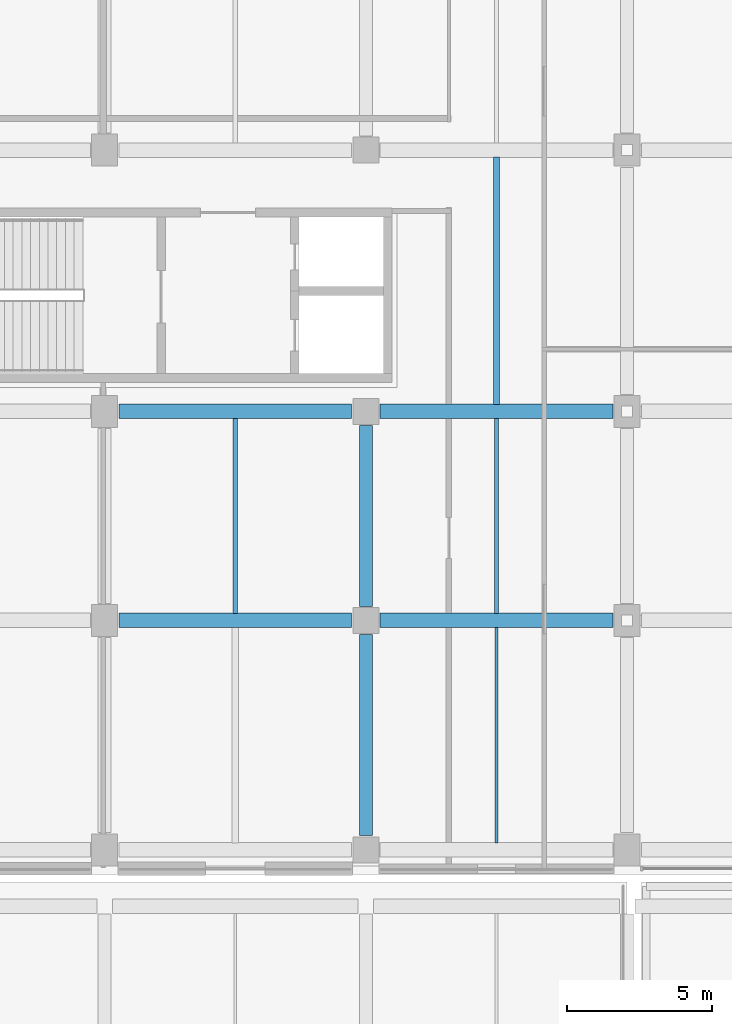
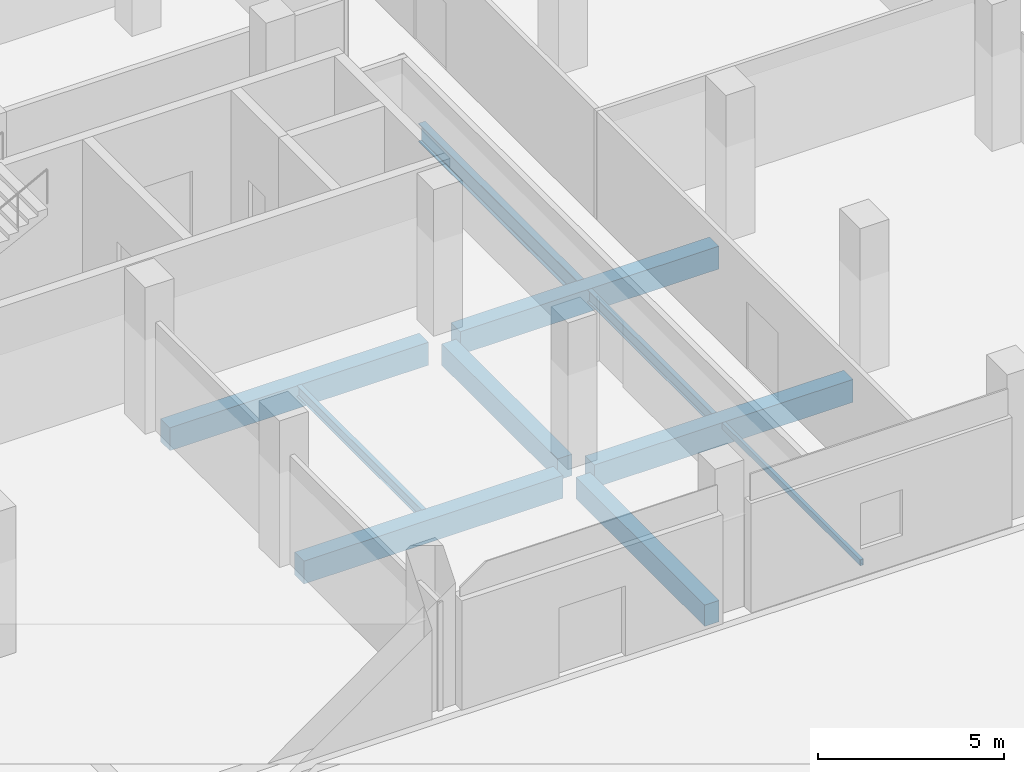
# One storey, part 8 of 82: 10 beams.
"""IFC4 building model written with IfcOpenShell, lengths in metres."""

from ifc_helpers import new_model, si_unit, direction, frame, origin, origin_2d, place, context, subcontext, project, spatial, rectangle, hollow_rectangle, i_section, extrude, material, material_profile, profile_set, type_object, element, save


model = new_model("IFC4")

# Units and contexts
model_context = context("Model", 3, precision=1e-05, world=origin(), true_north=direction((0.0, 1.0)))
body_context = subcontext(model_context, "Body", "Model", "MODEL_VIEW")
ifc_project = project(units=[si_unit("LENGTHUNIT", "METRE"), si_unit("AREAUNIT", "SQUARE_METRE"), si_unit("VOLUMEUNIT", "CUBIC_METRE"), si_unit("PLANEANGLEUNIT", "RADIAN"), si_unit("MASSUNIT", "GRAM", prefix="KILO"), si_unit("THERMODYNAMICTEMPERATUREUNIT", "KELVIN"), si_unit("POWERUNIT", "WATT")], contexts=[model_context])

# Site, building, storey
site_placement = place(None, origin())
site = spatial("IfcSite", under=ifc_project, at=site_placement, CompositionType="ELEMENT")
building_placement = place(site_placement, origin())
building = spatial("IfcBuilding", under=site, at=building_placement, Name="Sindhuravela Promenade Stadium", CompositionType="ELEMENT")
storey_placement = place(building_placement, frame((0.0, 0.0, 14.39990234375)))
storey = spatial("IfcBuildingStorey", under=building, at=storey_placement, Name="L03", CompositionType="ELEMENT", Elevation=14.39990234375)

# Beams
ifc_material_1 = material(Name="Concrete M40", Category="concrete")
ifc_material_profile_1 = material_profile(ifc_material_1, rectangle(XDim=0.449951171875, YDim=0.699951171875, at=origin_2d()), Name="RC 450x700")
ifc_profile_set_1 = profile_set([ifc_material_profile_1], Name="Concrete M40")
beam_type_1 = type_object("IfcBeamType", Name="RC-BM-450x700", PredefinedType="BEAM", material=ifc_profile_set_1)
beam_1_placement = place(storey_placement, frame((27.0, 37.590087890625, -0.64990234375), z_axis=(0.0, 1.0, 0.0), x_axis=(-1.0, 0.0, 0.0)))
element("IfcBeam", 1, at=beam_1_placement, inside=storey, type_object=beam_type_1, Name="Primary beam GB07 WEST L03", PredefinedType="BEAM", context=body_context, shape_type="SweptSolid", body=[
    extrude(rectangle(XDim=0.449951171875, YDim=0.699951171875, at=origin_2d()), origin(), (0.0, 0.0, 1.0), 6.919921875),
])
beam_2_placement = place(storey_placement, frame((27.0, 45.489990234375, -0.64990234375), z_axis=(0.0, 1.0, 0.0), x_axis=(-1.0, 0.0, 0.0)))
element("IfcBeam", 2, at=beam_2_placement, inside=storey, type_object=beam_type_1, Name="Primary beam GB07 WEST L03", PredefinedType="BEAM", context=body_context, shape_type="SweptSolid", body=[
    extrude(rectangle(XDim=0.449951171875, YDim=0.699951171875, at=origin_2d()), origin(), (0.0, 0.0, 1.0), 6.219970703125),
])
ifc_material_profile_2 = material_profile(ifc_material_1, rectangle(XDim=0.5, YDim=0.75, at=origin_2d()), Name="RC 500x750")
ifc_profile_set_2 = profile_set([ifc_material_profile_2], Name="Concrete M40")
beam_type_2 = type_object("IfcBeamType", Name="RC-BM-500x750", PredefinedType="BEAM", material=ifc_profile_set_2)
for number, where, z_axis, x_axis, name in (
    (3, (18.489990234375, 45.0, -0.6748046875), (1.0, 0.0, 0.0), (0.0, 1.0, 0.0), "Primary girder GB06 WEST L03"),
    (4, (27.489990234375, 45.0, -0.6748046875), (1.0, 0.0, 0.0), (0.0, 1.0, 0.0), "Primary girder GB06 WEST L03"),
    (5, (18.489990234375, 52.199951171875, -0.6748046875), (1.0, 0.0, 0.0), (0.0, 1.0, 0.0), "Primary girder GB06 WEST L03"),
    (6, (27.489990234375, 52.199951171875, -0.6748046875), (1.0, 0.0, 0.0), (0.0, 1.0, 0.0), "Primary girder GB06 WEST L03"),
):
    element("IfcBeam", number, at=place(storey_placement, frame(where, z_axis=z_axis, x_axis=x_axis)), inside=storey, type_object=beam_type_2, Name=name, PredefinedType="BEAM", context=body_context, shape_type="SweptSolid", body=[
        extrude(rectangle(XDim=0.5, YDim=0.75, at=origin_2d()), origin(), (0.0, 0.0, 1.0), 8.02001953125),
    ])
ifc_material_2 = material(Name="Steel E350 (IS 2062 E350BR)", Category="steel")
ifc_material_profile_3 = material_profile(ifc_material_2, hollow_rectangle(XDim=0.10009765625, YDim=0.199951171875, WallThickness=0.008056640625, at=origin_2d()), Name="RHS 200x100x8")
ifc_profile_set_3 = profile_set([ifc_material_profile_3], Name="Steel E350 (IS 2062 E350BR)")
beam_type_3 = type_object("IfcBeamType", Name="ST-BM-LNT200", PredefinedType="LINTEL", material=ifc_profile_set_3)
beam_3_placement = place(storey_placement, frame((31.5, 37.340087890625, -0.39990234375), z_axis=(0.0, 1.0, 0.0), x_axis=(-1.0, 0.0, 0.0)))
element("IfcBeam", 7, at=beam_3_placement, inside=storey, type_object=beam_type_3, Name="Secondary floor joist LN01 WEST L03", PredefinedType="LINTEL", context=body_context, shape_type="SweptSolid", body=[
    extrude(hollow_rectangle(XDim=0.10009765625, YDim=0.199951171875, WallThickness=0.008056640625, at=origin_2d()), origin(), (0.0, 0.0, 1.0), 7.419921875),
])
ifc_material_profile_4 = material_profile(ifc_material_2, i_section(OverallWidth=0.139892578125, OverallDepth=0.35009765625, WebThickness=0.008056640625, FlangeThickness=0.01416015625, FilletRadius=0.013916015625, at=origin_2d()), Name="ISMB 350")
ifc_profile_set_4 = profile_set([ifc_material_profile_4], Name="Steel E350 (IS 2062 E350BR)")
beam_type_4 = type_object("IfcBeamType", Name="ST-BM-MB350", PredefinedType="JOIST", material=ifc_profile_set_4)
beam_4_placement = place(storey_placement, frame((22.5, 45.239990234375, -0.474853515625), z_axis=(0.0, 1.0, 0.0), x_axis=(-1.0, 0.0, 0.0)))
element("IfcBeam", 8, at=beam_4_placement, inside=storey, type_object=beam_type_4, Name="Secondary floor joist SB04 WEST L03", PredefinedType="JOIST", context=body_context, shape_type="SweptSolid", body=[
    extrude(i_section(OverallWidth=0.139892578125, OverallDepth=0.35009765625, WebThickness=0.008056640625, FlangeThickness=0.01416015625, FilletRadius=0.013916015625, at=origin_2d()), origin(), (0.0, 0.0, 1.0), 6.719970703125),
])
ifc_material_profile_5 = material_profile(ifc_material_2, i_section(OverallWidth=0.139892578125, OverallDepth=0.39990234375, WebThickness=0.0087890625, FlangeThickness=0.01611328125, FilletRadius=0.013916015625, at=origin_2d()), Name="ISMB 400")
ifc_profile_set_5 = profile_set([ifc_material_profile_5], Name="Steel E350 (IS 2062 E350BR)")
beam_type_5 = type_object("IfcBeamType", Name="ST-BM-MB400", PredefinedType="BEAM", material=ifc_profile_set_5)
beam_5_placement = place(storey_placement, frame((31.5, 45.239990234375, -0.5), z_axis=(0.0, 1.0, 0.0), x_axis=(-1.0, 0.0, 0.0)))
element("IfcBeam", 9, at=beam_5_placement, inside=storey, type_object=beam_type_5, Name="Secondary floor joist SB05 WEST L03", PredefinedType="BEAM", context=body_context, shape_type="SweptSolid", body=[
    extrude(i_section(OverallWidth=0.139892578125, OverallDepth=0.39990234375, WebThickness=0.0087890625, FlangeThickness=0.01611328125, FilletRadius=0.013916015625, at=origin_2d()), origin(), (0.0, 0.0, 1.0), 6.719970703125),
])
ifc_material_profile_6 = material_profile(ifc_material_2, i_section(OverallWidth=0.2099609375, OverallDepth=0.60009765625, WebThickness=0.011962890625, FlangeThickness=0.020751953125, FilletRadius=0.02001953125, at=origin_2d()), Name="ISMB 600")
ifc_profile_set_6 = profile_set([ifc_material_profile_6], Name="Steel E350 (IS 2062 E350BR)")
beam_type_6 = type_object("IfcBeamType", Name="ST-BM-MB600", PredefinedType="BEAM", material=ifc_profile_set_6)
beam_6_placement = place(storey_placement, frame((31.5, 52.43994140625, -0.599853515625), z_axis=(0.0, 1.0, 0.0), x_axis=(-1.0, 0.0, 0.0)))
element("IfcBeam", 10, at=beam_6_placement, inside=storey, type_object=beam_type_6, Name="Secondary floor joist SB09 WEST L03", PredefinedType="BEAM", context=body_context, shape_type="SweptSolid", body=[
    extrude(i_section(OverallWidth=0.2099609375, OverallDepth=0.60009765625, WebThickness=0.011962890625, FlangeThickness=0.020751953125, FilletRadius=0.02001953125, at=origin_2d()), origin(), (0.0, 0.0, 1.0), 8.52001953125),
])

save(model, "model.ifc")
